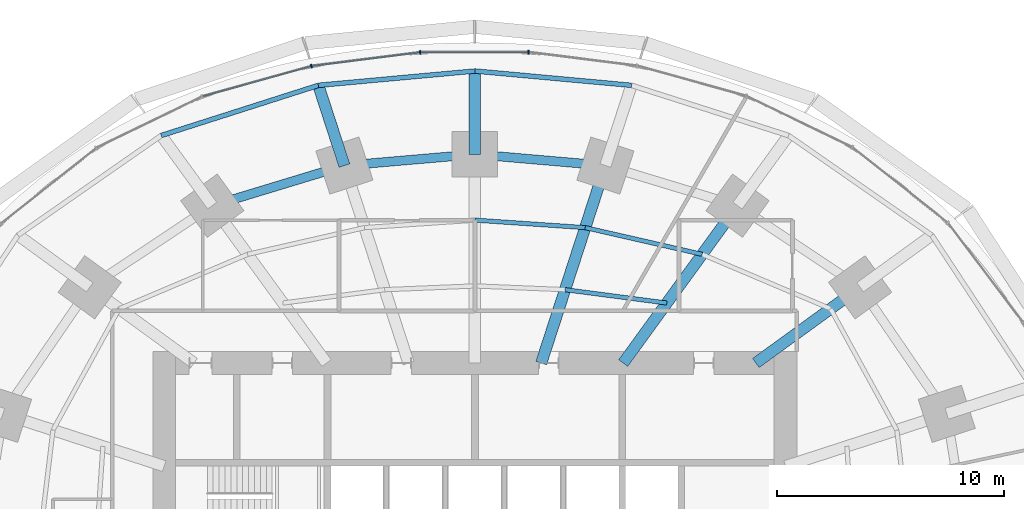
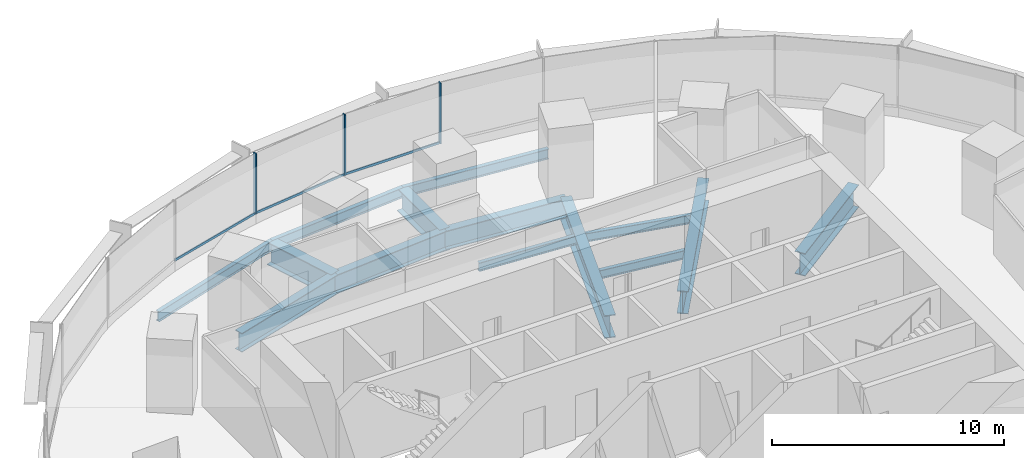
# One storey, part 8 of 15: 14 beams, 6 members, 1 element without a shape of its own.
"""IFC4 building model written with IfcOpenShell, lengths in metres."""

from ifc_helpers import new_model, si_unit, direction, frame, origin, origin_2d, place, context, subcontext, project, spatial, rectangle, i_section, extrude, material, material_profile, profile_set, type_object, element, aggregate, save


model = new_model("IFC4")

# Units and contexts
model_context = context("Model", 3, precision=1e-05, world=origin(), true_north=direction((0.0, 1.0)))
body_context = subcontext(model_context, "Body", "Model", "MODEL_VIEW")
ifc_project = project(units=[si_unit("LENGTHUNIT", "METRE"), si_unit("AREAUNIT", "SQUARE_METRE"), si_unit("VOLUMEUNIT", "CUBIC_METRE"), si_unit("PLANEANGLEUNIT", "RADIAN"), si_unit("MASSUNIT", "GRAM", prefix="KILO")], contexts=[model_context])

# Site, building, storey
site_placement = place(None, origin())
site = spatial("IfcSite", under=ifc_project, at=site_placement, CompositionType="ELEMENT")
building_placement = place(site_placement, origin())
building = spatial("IfcBuilding", under=site, at=building_placement, Name="Marramba Exchange Tower", CompositionType="ELEMENT")
storey_placement = place(building_placement, frame((0.0, 0.0, 82.60009765625)))
storey = spatial("IfcBuildingStorey", under=building, at=storey_placement, Name="L19", CompositionType="ELEMENT", Elevation=82.60009765625)

# Beams
ifc_material_1 = material(Name="Steel AS/NZS 3679.2 grade 300", Category="steel")
ifc_material_profile_1 = material_profile(ifc_material_1, i_section(OverallWidth=0.5, OverallDepth=1.199951171875, WebThickness=0.01611328125, FlangeThickness=0.0400390625, at=origin_2d()), Name="1200WB455")
ifc_profile_set_1 = profile_set([ifc_material_profile_1], Name="Steel AS/NZS 3679.2 grade 300")
beam_type_1 = type_object("IfcBeamType", Name="Cantilever girder 1200WB455", PredefinedType="BEAM", material=ifc_profile_set_1)
beam_1_placement = place(storey_placement, frame((0.0, 18.2041015625, -0.760009765625), z_axis=(0.0, 1.0, 0.0), x_axis=(-1.0, 0.0, 0.0)))
element("IfcBeam", 1, at=beam_1_placement, inside=storey, type_object=beam_type_1, Name="Cantilever girder L19 TC06", PredefinedType="BEAM", context=body_context, shape_type="SweptSolid", body=[
    extrude(i_section(OverallWidth=0.5, OverallDepth=1.199951171875, WebThickness=0.01611328125, FlangeThickness=0.0400390625, at=origin_2d()), origin(), (0.0, 0.0, 1.0), 3.673828125),
])
beam_2_placement = place(storey_placement, frame((-5.75390625, 17.70849609375, -0.760009765625), z_axis=(-0.308973290646, 0.951070715387, 0.0), x_axis=(-0.951070715387, -0.308973290646, 0.0)))
element("IfcBeam", 2, at=beam_2_placement, inside=storey, type_object=beam_type_1, Name="Cantilever girder L19 TC07", PredefinedType="BEAM", context=body_context, shape_type="SweptSolid", body=[
    extrude(i_section(OverallWidth=0.5, OverallDepth=1.199951171875, WebThickness=0.01611328125, FlangeThickness=0.0400390625, at=origin_2d()), origin(), (0.0, 0.0, 1.0), 3.72021484375),
])
ifc_material_2 = material(Name="Steel AS/NZS 3679.1 grade 300", Category="steel")
ifc_material_profile_2 = material_profile(ifc_material_2, i_section(OverallWidth=0.18994140625, OverallDepth=0.4541015625, WebThickness=0.008544921875, FlangeThickness=0.0126953125, FilletRadius=0.011474609375, at=origin_2d()), Name="460UB67.1")
ifc_profile_set_2 = profile_set([ifc_material_profile_2], Name="Steel AS/NZS 3679.1 grade 300")
beam_type_2 = type_object("IfcBeamType", Name="Floor joist 460UB67.1", PredefinedType="JOIST", material=ifc_profile_set_2)
beam_3_placement = place(storey_placement, frame((8.4619140625, 11.646728515625, -0.38720703125), z_axis=(-0.991480538255, 0.130254912618, 0.0), x_axis=(-0.130254912618, -0.991480538255, 0.0)))
element("IfcBeam", 3, at=beam_3_placement, inside=storey, type_object=beam_type_2, Name="Joist L19 bay 04 row 1", PredefinedType="JOIST", context=body_context, shape_type="SweptSolid", body=[
    extrude(i_section(OverallWidth=0.18994140625, OverallDepth=0.4541015625, WebThickness=0.008544921875, FlangeThickness=0.0126953125, FilletRadius=0.011474609375, at=origin_2d()), origin(), (0.0, 0.0, 1.0), 4.524658203125),
])
beam_4_placement = place(storey_placement, frame((10.021728515625, 13.793701171875, -0.38720703125), z_axis=(-0.974859652292, 0.222819788916, 0.0), x_axis=(-0.222819788916, -0.974859652292, 0.0)))
element("IfcBeam", 4, at=beam_4_placement, inside=storey, type_object=beam_type_2, Name="Joist L19 bay 04 row 2", PredefinedType="JOIST", context=body_context, shape_type="SweptSolid", body=[
    extrude(i_section(OverallWidth=0.18994140625, OverallDepth=0.4541015625, WebThickness=0.008544921875, FlangeThickness=0.0126953125, FilletRadius=0.011474609375, at=origin_2d()), origin(), (0.0, 0.0, 1.0), 5.2900390625),
])
beam_5_placement = place(storey_placement, frame((4.86474609375, 14.972412109375, -0.38720703125), z_axis=(-0.997702652202, 0.067745241816, 0.0), x_axis=(-0.067745241816, -0.997702652202, 0.0)))
element("IfcBeam", 5, at=beam_5_placement, inside=storey, type_object=beam_type_2, Name="Joist L19 bay 05 row 2", PredefinedType="JOIST", context=body_context, shape_type="SweptSolid", body=[
    extrude(i_section(OverallWidth=0.18994140625, OverallDepth=0.4541015625, WebThickness=0.008544921875, FlangeThickness=0.0126953125, FilletRadius=0.011474609375, at=origin_2d()), origin(), (0.0, 0.0, 1.0), 4.8759765625),
])
ifc_material_profile_3 = material_profile(ifc_material_1, i_section(OverallWidth=0.5, OverallDepth=1.199951171875, WebThickness=0.01611328125, FlangeThickness=0.0400390625, at=origin_2d()), Name="1200WB455")
ifc_profile_set_3 = profile_set([ifc_material_profile_3], Name="Steel AS/NZS 3679.2 grade 300")
beam_type_3 = type_object("IfcBeamType", Name="Radial girder 1200WB455", PredefinedType="BEAM", material=ifc_profile_set_3)
beam_6_placement = place(storey_placement, frame((12.387451171875, 9.0, -0.760009765625), z_axis=(0.809025746925, 0.587773205252, 0.0), x_axis=(-0.587773205252, 0.809025746925, 0.0)))
element("IfcBeam", 6, at=beam_6_placement, inside=storey, type_object=beam_type_3, Name="Radial girder L19 TC03", PredefinedType="BEAM", context=body_context, shape_type="SweptSolid", body=[
    extrude(i_section(OverallWidth=0.5, OverallDepth=1.199951171875, WebThickness=0.01611328125, FlangeThickness=0.0400390625, at=origin_2d()), origin(), (0.0, 0.0, 1.0), 5.683837890625),
])
beam_7_placement = place(storey_placement, frame((6.538818359375, 9.0, -0.760009765625), z_axis=(0.587782439969, 0.80901903764, 0.0), x_axis=(-0.80901903764, 0.587782439969, 0.0)))
element("IfcBeam", 7, at=beam_7_placement, inside=storey, type_object=beam_type_3, Name="Radial girder L19 TC04", PredefinedType="BEAM", context=body_context, shape_type="SweptSolid", body=[
    extrude(i_section(OverallWidth=0.5, OverallDepth=1.199951171875, WebThickness=0.01611328125, FlangeThickness=0.0400390625, at=origin_2d()), origin(), (0.0, 0.0, 1.0), 8.578857421875),
])
beam_8_placement = place(storey_placement, frame((2.92431640625, 9.0, -0.760009765625), z_axis=(0.309019754162, 0.951055619582, 0.0), x_axis=(-0.951055619582, 0.309019754162, 0.0)))
element("IfcBeam", 8, at=beam_8_placement, inside=storey, type_object=beam_type_3, Name="Radial girder L19 TC05", PredefinedType="BEAM", context=body_context, shape_type="SweptSolid", body=[
    extrude(i_section(OverallWidth=0.5, OverallDepth=1.199951171875, WebThickness=0.01611328125, FlangeThickness=0.0400390625, at=origin_2d()), origin(), (0.0, 0.0, 1.0), 9.15673828125),
])
ifc_material_profile_4 = material_profile(ifc_material_1, i_section(OverallWidth=0.39990234375, OverallDepth=1.0, WebThickness=0.01611328125, FlangeThickness=0.031982421875, at=origin_2d()), Name="1000WB322")
ifc_profile_set_4 = profile_set([ifc_material_profile_4], Name="Steel AS/NZS 3679.2 grade 300")
beam_type_4 = type_object("IfcBeamType", Name="Ring beam 1000WB322", PredefinedType="SPANDREL", material=ifc_profile_set_4)
for number, where, z_axis, x_axis, name in (
    (9, (5.75390625, 17.70849609375, -0.66015625), (-0.996311003275, 0.085815993578, 0.0), (-0.085815993578, -0.996311003275, 0.0), "Ring beam L19 TC05-TC06"),
    (10, (0.0, 18.2041015625, -0.66015625), (-0.996311003275, -0.085815993578, 0.0), (0.085815993578, -0.996311003275, 0.0), "Ring beam L19 TC06-TC07"),
):
    element("IfcBeam", number, at=place(storey_placement, frame(where, z_axis=z_axis, x_axis=x_axis)), inside=storey, type_object=beam_type_4, Name=name, PredefinedType="SPANDREL", context=body_context, shape_type="SweptSolid", body=[
        extrude(i_section(OverallWidth=0.39990234375, OverallDepth=1.0, WebThickness=0.01611328125, FlangeThickness=0.031982421875, at=origin_2d()), origin(), (0.0, 0.0, 1.0), 5.775146484375),
    ])
beam_9_placement = place(storey_placement, frame((-5.75390625, 17.70849609375, -0.66015625), z_axis=(-0.956924542524, -0.290336735387, 0.0), x_axis=(0.290336735387, -0.956924542524, 0.0)))
element("IfcBeam", 11, at=beam_9_placement, inside=storey, type_object=beam_type_4, Name="Ring beam L19 TC07-TC08", PredefinedType="SPANDREL", context=body_context, shape_type="SweptSolid", body=[
    extrude(i_section(OverallWidth=0.39990234375, OverallDepth=1.0, WebThickness=0.01611328125, FlangeThickness=0.031982421875, at=origin_2d()), origin(), (0.0, 0.0, 1.0), 6.089599609375),
])
ifc_material_profile_5 = material_profile(ifc_material_2, i_section(OverallWidth=0.208984375, OverallDepth=0.528076171875, WebThickness=0.009521484375, FlangeThickness=0.01318359375, FilletRadius=0.013916015625, at=origin_2d()), Name="530UB82.0")
ifc_profile_set_5 = profile_set([ifc_material_profile_5], Name="Steel AS/NZS 3679.1 grade 300")
beam_type_5 = type_object("IfcBeamType", Name="Slab edge beam 530UB82.0", PredefinedType="SPANDREL", material=ifc_profile_set_5)
for number, where, z_axis, x_axis, name in (
    (12, (6.9033203125, 21.24658203125, -0.424072265625), (-0.995843984921, 0.091075560369, 0.0), (-0.091075560369, -0.995843984921, 0.0), "Slab edge beam L19 TC05-TC06"),
    (13, (0.0, 21.8779296875, -0.424072265625), (-0.995843984921, -0.091075560369, 0.0), (0.091075560369, -0.995843984921, 0.0), "Slab edge beam L19 TC06-TC07"),
):
    element("IfcBeam", number, at=place(storey_placement, frame(where, z_axis=z_axis, x_axis=x_axis)), inside=storey, type_object=beam_type_5, Name=name, PredefinedType="SPANDREL", context=body_context, shape_type="SweptSolid", body=[
        extrude(i_section(OverallWidth=0.208984375, OverallDepth=0.528076171875, WebThickness=0.009521484375, FlangeThickness=0.01318359375, FilletRadius=0.013916015625, at=origin_2d()), origin(), (0.0, 0.0, 1.0), 6.93212890625),
    ])
beam_10_placement = place(storey_placement, frame((-6.9033203125, 21.24658203125, -0.424072265625), z_axis=(-0.952577642997, -0.304295635957, 0.0), x_axis=(0.304295635957, -0.952577642997, 0.0)))
element("IfcBeam", 14, at=beam_10_placement, inside=storey, type_object=beam_type_5, Name="Slab edge beam L19 TC07-TC08", PredefinedType="SPANDREL", context=body_context, shape_type="SweptSolid", body=[
    extrude(i_section(OverallWidth=0.208984375, OverallDepth=0.528076171875, WebThickness=0.009521484375, FlangeThickness=0.01318359375, FilletRadius=0.013916015625, at=origin_2d()), origin(), (0.0, 0.0, 1.0), 7.2705078125),
])

# Curtain wall, members
ifc_material_3 = material(Name="Aluminium framing, bronze anodised", Category="aluminium")
curtain_wall_type = type_object("IfcCurtainWallType", Name="Trading floor ribbon curtain wall", PredefinedType="USERDEFINED", material=ifc_material_3)
curtain_wall_placement = place(storey_placement, origin())
curtain_wall = element("IfcCurtainWall", 15, at=curtain_wall_placement, inside=storey, type_object=curtain_wall_type, Name="Curtain wall CW3 L19 F06-F10", ObjectType="RIBBON CURTAIN WALL", PredefinedType="USERDEFINED")
ifc_material_4 = material(Name="Aluminium mullion, bronze anodised", Category="aluminium")
ifc_material_profile_6 = material_profile(ifc_material_4, rectangle(XDim=0.159912109375, YDim=0.06005859375, at=origin_2d()), Name="CW3 mullion 60x160")
ifc_profile_set_6 = profile_set([ifc_material_profile_6], Name="Aluminium mullion, bronze anodised")
member_type_1 = type_object("IfcMemberType", Name="Trading floor ribbon curtain wall mullion", PredefinedType="MULLION", material=ifc_profile_set_6)
member_1_placement = place(storey_placement, frame((2.3564453125, 22.7060546875, 0.7998046875), z_axis=(0.0, 0.0, 1.0), x_axis=(0.0, -1.0, 0.0)))
member_1 = element("IfcMember", 16, at=member_1_placement, type_object=member_type_1, Name="CW3 mullion 1", PredefinedType="MULLION", context=body_context, shape_type="SweptSolid", body=[
    extrude(rectangle(XDim=0.159912109375, YDim=0.06005859375, at=origin_2d()), origin(), (0.0, 0.0, 1.0), 3.2001953125),
])
member_2_placement = place(storey_placement, frame((-2.416259765625, 22.7021484375, 0.7998046875), z_axis=(0.0, 0.0, 1.0), x_axis=(0.124872723099, -0.992172768738, 0.0)))
member_2 = element("IfcMember", 17, at=member_2_placement, type_object=member_type_1, Name="CW3 mullion 1", PredefinedType="MULLION", context=body_context, shape_type="SweptSolid", body=[
    extrude(rectangle(XDim=0.159912109375, YDim=0.06005859375, at=origin_2d()), origin(), (0.0, 0.0, 1.0), 3.2001953125),
])
member_3_placement = place(storey_placement, frame((-7.21044921875, 22.094482421875, 0.7998046875), z_axis=(0.0, 0.0, 1.0), x_axis=(0.267808735815, -0.963472096649, 0.0)))
member_3 = element("IfcMember", 18, at=member_3_placement, type_object=member_type_1, Name="CW3 mullion 1", PredefinedType="MULLION", context=body_context, shape_type="SweptSolid", body=[
    extrude(rectangle(XDim=0.159912109375, YDim=0.06005859375, at=origin_2d()), origin(), (0.0, 0.0, 1.0), 3.2001953125),
])
ifc_material_5 = material(Name="Aluminium transom, bronze anodised", Category="aluminium")
ifc_material_profile_7 = material_profile(ifc_material_5, rectangle(XDim=0.06005859375, YDim=0.1201171875, at=origin_2d()), Name="CW3 transom 60x120")
ifc_profile_set_7 = profile_set([ifc_material_profile_7], Name="Aluminium transom, bronze anodised")
member_type_2 = type_object("IfcMemberType", Name="Trading floor ribbon curtain wall transom", PredefinedType="USERDEFINED", material=ifc_profile_set_7)
member_4_placement = place(storey_placement, frame((2.326416015625, 22.7060546875, 0.829833984375), z_axis=(-1.0, 0.0, 0.0), x_axis=(0.0, -1.0, 0.0)))
member_4 = element("IfcMember", 19, at=member_4_placement, type_object=member_type_2, Name="CW3 sill transom", ObjectType="TRANSOM", PredefinedType="USERDEFINED", context=body_context, shape_type="SweptSolid", body=[
    extrude(rectangle(XDim=0.06005859375, YDim=0.1201171875, at=origin_2d()), origin(), (0.0, 0.0, 1.0), 4.712890625),
])
member_5_placement = place(storey_placement, frame((-2.446044921875, 22.698486328125, 0.829833984375), z_axis=(-0.992174445211, -0.124859402009, 0.0), x_axis=(0.124859402009, -0.992174445211, 0.0)))
member_5 = element("IfcMember", 20, at=member_5_placement, type_object=member_type_2, Name="CW3 sill transom", ObjectType="TRANSOM", PredefinedType="USERDEFINED", context=body_context, shape_type="SweptSolid", body=[
    extrude(rectangle(XDim=0.06005859375, YDim=0.1201171875, at=origin_2d()), origin(), (0.0, 0.0, 1.0), 4.77294921875),
])
member_6_placement = place(storey_placement, frame((-7.2392578125, 22.08642578125, 0.829833984375), z_axis=(-0.963472490071, -0.267807320431, 0.0), x_axis=(0.267807320431, -0.963472490071, 0.0)))
member_6 = element("IfcMember", 21, at=member_6_placement, type_object=member_type_2, Name="CW3 sill transom", ObjectType="TRANSOM", PredefinedType="USERDEFINED", context=body_context, shape_type="SweptSolid", body=[
    extrude(rectangle(XDim=0.06005859375, YDim=0.1201171875, at=origin_2d()), origin(), (0.0, 0.0, 1.0), 4.93017578125),
])
aggregate(curtain_wall, [member_1, member_4, member_2, member_5, member_3, member_6])

save(model, "model.ifc")
